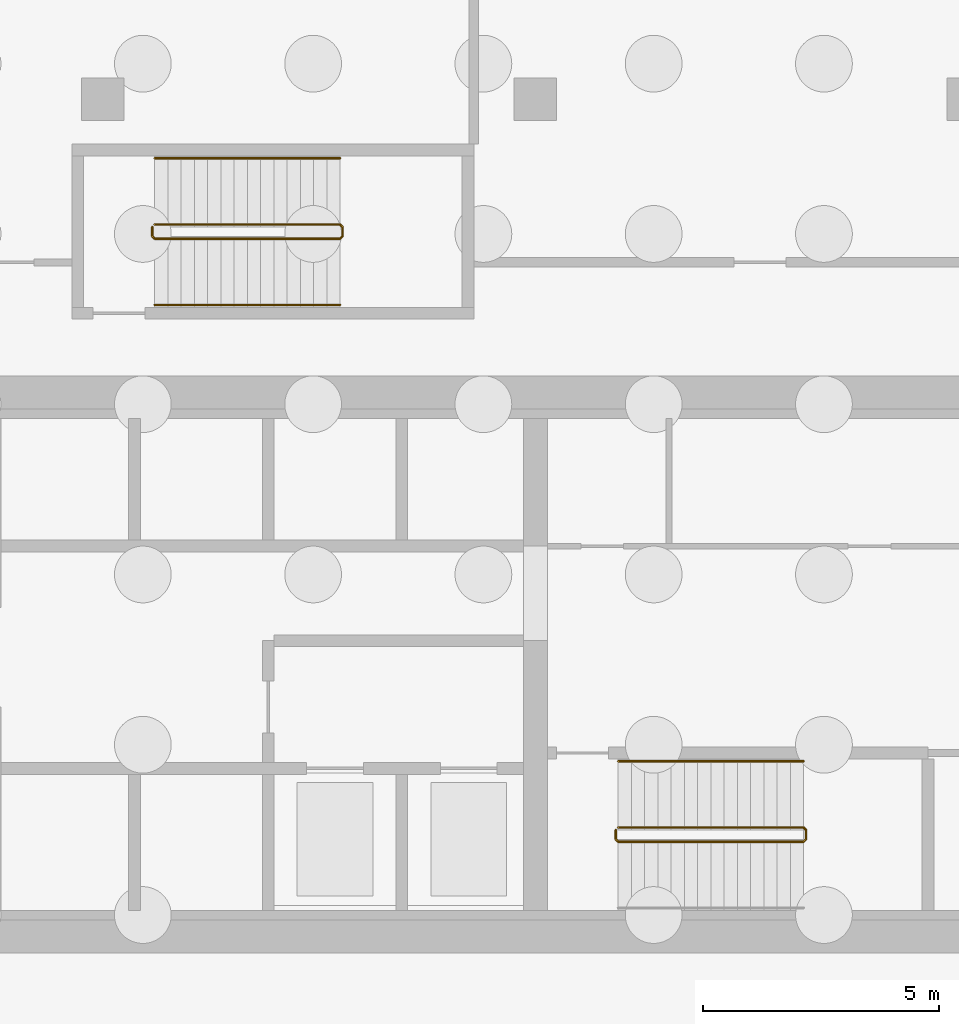
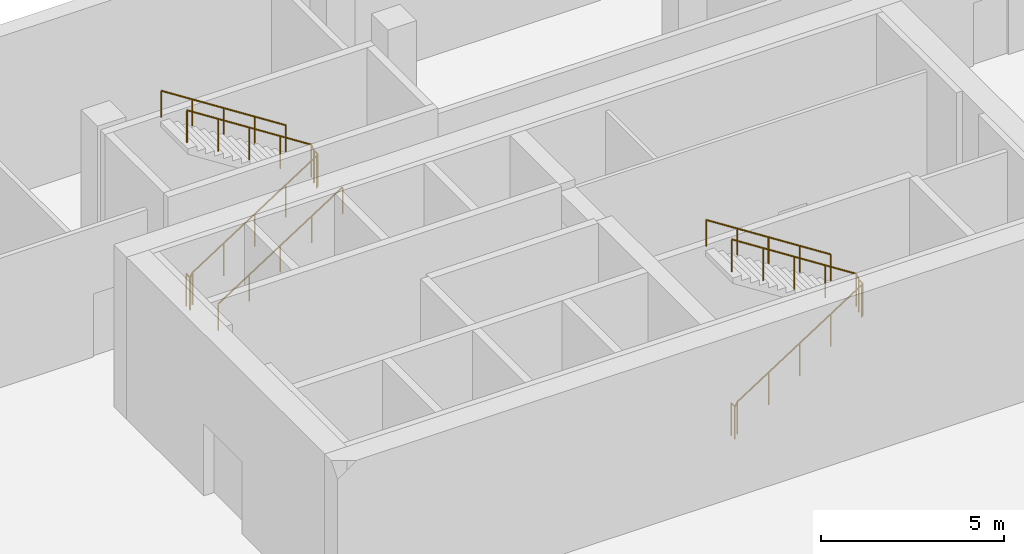
# One storey, part 12 of 13: 5 railings.
"""IFC4 building model written with IfcOpenShell, lengths in metres."""

from ifc_helpers import new_model, si_unit, direction, frame, origin, origin_2d, place, context, subcontext, project, spatial, circle, extrude, material, type_object, element, save


model = new_model("IFC4")

# Units and contexts
model_context = context("Model", 3, precision=1e-05, world=origin(), true_north=direction((0.0, 1.0)))
body_context = subcontext(model_context, "Body", "Model", "MODEL_VIEW")
ifc_project = project(units=[si_unit("LENGTHUNIT", "METRE"), si_unit("AREAUNIT", "SQUARE_METRE"), si_unit("VOLUMEUNIT", "CUBIC_METRE"), si_unit("PLANEANGLEUNIT", "RADIAN"), si_unit("MASSUNIT", "GRAM", prefix="KILO")], contexts=[model_context])

# Site, building, storey
site_placement = place(None, origin())
site = spatial("IfcSite", under=ifc_project, at=site_placement, CompositionType="ELEMENT")
building_placement = place(site_placement, origin())
building = spatial("IfcBuilding", under=site, at=building_placement, Name="Tessera Gate Towers", CompositionType="ELEMENT")
storey_placement = place(building_placement, frame((0.0, 0.0, -5.39990234375)))
storey = spatial("IfcBuildingStorey", under=building, at=storey_placement, Name="B1", CompositionType="ELEMENT", Elevation=-5.39990234375)

# Railings
ifc_material_1 = material(Name="Steel 350W", Category="steel")
railing_type_1 = type_object("IfcRailingType", Name="STAIR GUARD 1100", PredefinedType="GUARDRAIL", material=ifc_material_1)
railing_1_placement = place(storey_placement, frame((111.5, 39.199951171875, 0.0)))
element("IfcRailing", 1, at=railing_1_placement, inside=storey, type_object=railing_type_1, Name="B1 ST6 stair guard 1", PredefinedType="GUARDRAIL", context=body_context, shape_type="SweptSolid", body=[
    extrude(circle(Radius=0.02392578125, at=origin_2d()), frame((0.0, 0.0, 1.076171875), z_axis=(0.0, -1.0, 0.0), x_axis=(1.0, 0.0, 0.0)), (0.0, 0.0, 1.0), 0.199951171875),
    extrude(circle(Radius=0.02392578125, at=origin_2d()), frame((0.0, -0.199951171875, 1.076171875), z_axis=(0.258847668887, -0.258847668887, 0.930588936439), x_axis=(0.707106781187, 0.707106781187, 0.0)), (0.0, 0.0, 1.0), 0.193359375),
    extrude(circle(Radius=0.02392578125, at=origin_2d()), frame((0.050048828125, -0.25, 1.255859375), z_axis=(0.841171666519, 0.0, 0.540768182723), x_axis=(0.0, 1.0, 0.0)), (0.0, 0.0, 1.0), 4.66015625),
    extrude(circle(Radius=0.02392578125, at=origin_2d()), frame((3.969970703125, -0.25, 3.77587890625), z_axis=(0.707106781187, 0.707106781187, 0.0), x_axis=(-0.707106781187, 0.707106781187, 0.0)), (0.0, 0.0, 1.0), 0.07080078125),
    extrude(circle(Radius=0.02392578125, at=origin_2d()), frame((4.02001953125, -0.199951171875, 3.77587890625), z_axis=(0.0, 1.0, 0.0), x_axis=(-1.0, 0.0, 0.0)), (0.0, 0.0, 1.0), 0.199951171875),
    extrude(circle(Radius=0.02392578125, at=origin_2d()), frame((4.02001953125, 0.0, 3.77587890625), z_axis=(-0.258847668887, 0.258847668887, 0.930588936439), x_axis=(-0.707106781187, -0.707106781187, 0.0)), (0.0, 0.0, 1.0), 0.193359375),
    extrude(circle(Radius=0.02392578125, at=origin_2d()), frame((3.969970703125, 0.050048828125, 3.9560546875), z_axis=(-0.841171666519, 0.0, 0.540768182723), x_axis=(0.0, -1.0, 0.0)), (0.0, 0.0, 1.0), 4.66015625),
    extrude(circle(Radius=0.02099609375, at=origin_2d()), origin(), (0.0, 0.0, 1.0), 1.052001953125),
    extrude(circle(Radius=0.02099609375, at=origin_2d()), frame((0.0, -0.199951171875, 0.0)), (0.0, 0.0, 1.0), 1.052001953125),
    extrude(circle(Radius=0.02099609375, at=origin_2d()), frame((0.050048828125, -0.25, 0.179931640625)), (0.0, 0.0, 1.0), 1.052001953125),
    extrude(circle(Radius=0.02099609375, at=origin_2d()), frame((1.030029296875, -0.25, 0.81005859375)), (0.0, 0.0, 1.0), 1.052001953125),
    extrude(circle(Radius=0.02099609375, at=origin_2d()), frame((2.010009765625, -0.25, 1.43994140625)), (0.0, 0.0, 1.0), 1.052001953125),
    extrude(circle(Radius=0.02099609375, at=origin_2d()), frame((2.989990234375, -0.25, 2.06982421875)), (0.0, 0.0, 1.0), 1.052001953125),
    extrude(circle(Radius=0.02099609375, at=origin_2d()), frame((3.969970703125, -0.25, 2.699951171875)), (0.0, 0.0, 1.0), 1.052001953125),
    extrude(circle(Radius=0.02099609375, at=origin_2d()), frame((4.02001953125, -0.199951171875, 2.699951171875)), (0.0, 0.0, 1.0), 1.052001953125),
    extrude(circle(Radius=0.02099609375, at=origin_2d()), frame((4.02001953125, 0.0, 2.699951171875)), (0.0, 0.0, 1.0), 1.052001953125),
    extrude(circle(Radius=0.02099609375, at=origin_2d()), frame((3.969970703125, 0.050048828125, 2.8798828125)), (0.0, 0.0, 1.0), 1.052001953125),
    extrude(circle(Radius=0.02099609375, at=origin_2d()), frame((2.989990234375, 0.050048828125, 3.509765625)), (0.0, 0.0, 1.0), 1.052001953125),
    extrude(circle(Radius=0.02099609375, at=origin_2d()), frame((2.010009765625, 0.050048828125, 4.139892578125)), (0.0, 0.0, 1.0), 1.052001953125),
    extrude(circle(Radius=0.02099609375, at=origin_2d()), frame((1.030029296875, 0.050048828125, 4.77001953125)), (0.0, 0.0, 1.0), 1.052001953125),
    extrude(circle(Radius=0.02099609375, at=origin_2d()), frame((0.050048828125, 0.050048828125, 5.39990234375)), (0.0, 0.0, 1.0), 1.052001953125),
])
railing_2_placement = place(storey_placement, frame((101.699951171875, 51.949951171875, 0.0)))
element("IfcRailing", 2, at=railing_2_placement, inside=storey, type_object=railing_type_1, Name="B1 ST7 stair guard 1", PredefinedType="GUARDRAIL", context=body_context, shape_type="SweptSolid", body=[
    extrude(circle(Radius=0.02392578125, at=origin_2d()), frame((0.0, 0.0, 1.076171875), z_axis=(0.0, -1.0, 0.0), x_axis=(1.0, 0.0, 0.0)), (0.0, 0.0, 1.0), 0.199951171875),
    extrude(circle(Radius=0.02392578125, at=origin_2d()), frame((0.0, -0.199951171875, 1.076171875), z_axis=(0.258847668887, -0.258847668887, 0.930588936439), x_axis=(0.707106781187, 0.707106781187, 0.0)), (0.0, 0.0, 1.0), 0.193359375),
    extrude(circle(Radius=0.02392578125, at=origin_2d()), frame((0.050048828125, -0.25, 1.255859375), z_axis=(0.841171666519, 0.0, 0.540768182723), x_axis=(0.0, 1.0, 0.0)), (0.0, 0.0, 1.0), 4.66015625),
    extrude(circle(Radius=0.02392578125, at=origin_2d()), frame((3.969970703125, -0.25, 3.77587890625), z_axis=(0.707106781187, 0.707106781187, 0.0), x_axis=(-0.707106781187, 0.707106781187, 0.0)), (0.0, 0.0, 1.0), 0.07080078125),
    extrude(circle(Radius=0.02392578125, at=origin_2d()), frame((4.02001953125, -0.199951171875, 3.77587890625), z_axis=(0.0, 1.0, 0.0), x_axis=(-1.0, 0.0, 0.0)), (0.0, 0.0, 1.0), 0.199951171875),
    extrude(circle(Radius=0.02392578125, at=origin_2d()), frame((4.02001953125, 0.0, 3.77587890625), z_axis=(-0.258847668887, 0.258847668887, 0.930588936439), x_axis=(-0.707106781187, -0.707106781187, 0.0)), (0.0, 0.0, 1.0), 0.193359375),
    extrude(circle(Radius=0.02392578125, at=origin_2d()), frame((3.969970703125, 0.050048828125, 3.9560546875), z_axis=(-0.841171666519, 0.0, 0.540768182723), x_axis=(0.0, -1.0, 0.0)), (0.0, 0.0, 1.0), 4.66015625),
    extrude(circle(Radius=0.02099609375, at=origin_2d()), origin(), (0.0, 0.0, 1.0), 1.052001953125),
    extrude(circle(Radius=0.02099609375, at=origin_2d()), frame((0.0, -0.199951171875, 0.0)), (0.0, 0.0, 1.0), 1.052001953125),
    extrude(circle(Radius=0.02099609375, at=origin_2d()), frame((0.050048828125, -0.25, 0.179931640625)), (0.0, 0.0, 1.0), 1.052001953125),
    extrude(circle(Radius=0.02099609375, at=origin_2d()), frame((1.030029296875, -0.25, 0.81005859375)), (0.0, 0.0, 1.0), 1.052001953125),
    extrude(circle(Radius=0.02099609375, at=origin_2d()), frame((2.010009765625, -0.25, 1.43994140625)), (0.0, 0.0, 1.0), 1.052001953125),
    extrude(circle(Radius=0.02099609375, at=origin_2d()), frame((2.989990234375, -0.25, 2.06982421875)), (0.0, 0.0, 1.0), 1.052001953125),
    extrude(circle(Radius=0.02099609375, at=origin_2d()), frame((3.969970703125, -0.25, 2.699951171875)), (0.0, 0.0, 1.0), 1.052001953125),
    extrude(circle(Radius=0.02099609375, at=origin_2d()), frame((4.02001953125, -0.199951171875, 2.699951171875)), (0.0, 0.0, 1.0), 1.052001953125),
    extrude(circle(Radius=0.02099609375, at=origin_2d()), frame((4.02001953125, 0.0, 2.699951171875)), (0.0, 0.0, 1.0), 1.052001953125),
    extrude(circle(Radius=0.02099609375, at=origin_2d()), frame((3.969970703125, 0.050048828125, 2.8798828125)), (0.0, 0.0, 1.0), 1.052001953125),
    extrude(circle(Radius=0.02099609375, at=origin_2d()), frame((2.989990234375, 0.050048828125, 3.509765625)), (0.0, 0.0, 1.0), 1.052001953125),
    extrude(circle(Radius=0.02099609375, at=origin_2d()), frame((2.010009765625, 0.050048828125, 4.139892578125)), (0.0, 0.0, 1.0), 1.052001953125),
    extrude(circle(Radius=0.02099609375, at=origin_2d()), frame((1.030029296875, 0.050048828125, 4.77001953125)), (0.0, 0.0, 1.0), 1.052001953125),
    extrude(circle(Radius=0.02099609375, at=origin_2d()), frame((0.050048828125, 0.050048828125, 5.39990234375)), (0.0, 0.0, 1.0), 1.052001953125),
])
ifc_material_2 = material(Name="Steel 350W", Category="steel")
railing_type_2 = type_object("IfcRailingType", Name="STAIR HANDRAIL 900", PredefinedType="HANDRAIL", material=ifc_material_2)
railing_3_placement = place(storey_placement, frame((115.469970703125, 40.64990234375, 2.8798828125)))
element("IfcRailing", 3, at=railing_3_placement, inside=storey, type_object=railing_type_2, Name="B1 ST6 stair handrail 2", PredefinedType="HANDRAIL", context=body_context, shape_type="SweptSolid", body=[
    extrude(circle(Radius=0.02392578125, at=origin_2d()), frame((0.0, 0.0, 0.8759765625), z_axis=(-0.841171666519, 0.0, 0.540768182723), x_axis=(0.0, -1.0, 0.0)), (0.0, 0.0, 1.0), 4.66015625),
    extrude(circle(Radius=0.02099609375, at=origin_2d()), origin(), (0.0, 0.0, 1.0), 0.851806640625),
    extrude(circle(Radius=0.02099609375, at=origin_2d()), frame((-0.97998046875, 0.0, 0.6298828125)), (0.0, 0.0, 1.0), 0.851806640625),
    extrude(circle(Radius=0.02099609375, at=origin_2d()), frame((-1.9599609375, 0.0, 1.260009765625)), (0.0, 0.0, 1.0), 0.851806640625),
    extrude(circle(Radius=0.02099609375, at=origin_2d()), frame((-2.93994140625, 0.0, 1.89013671875)), (0.0, 0.0, 1.0), 0.851806640625),
    extrude(circle(Radius=0.02099609375, at=origin_2d()), frame((-3.919921875, 0.0, 2.52001953125)), (0.0, 0.0, 1.0), 0.851806640625),
])
railing_4_placement = place(storey_placement, frame((101.75, 50.300048828125, 0.179931640625)))
element("IfcRailing", 4, at=railing_4_placement, inside=storey, type_object=railing_type_2, Name="B1 ST7 stair handrail 1", PredefinedType="HANDRAIL", context=body_context, shape_type="SweptSolid", body=[
    extrude(circle(Radius=0.02392578125, at=origin_2d()), frame((0.0, 0.0, 0.8759765625), z_axis=(0.841171666519, 0.0, 0.540768182723), x_axis=(0.0, 1.0, 0.0)), (0.0, 0.0, 1.0), 4.66015625),
    extrude(circle(Radius=0.02099609375, at=origin_2d()), origin(), (0.0, 0.0, 1.0), 0.851806640625),
    extrude(circle(Radius=0.02099609375, at=origin_2d()), frame((0.97998046875, 0.0, 0.6298828125)), (0.0, 0.0, 1.0), 0.851806640625),
    extrude(circle(Radius=0.02099609375, at=origin_2d()), frame((1.9599609375, 0.0, 1.260009765625)), (0.0, 0.0, 1.0), 0.851806640625),
    extrude(circle(Radius=0.02099609375, at=origin_2d()), frame((2.93994140625, 0.0, 1.89013671875)), (0.0, 0.0, 1.0), 0.851806640625),
    extrude(circle(Radius=0.02099609375, at=origin_2d()), frame((3.919921875, 0.0, 2.52001953125)), (0.0, 0.0, 1.0), 0.851806640625),
])
railing_5_placement = place(storey_placement, frame((105.669921875, 53.39990234375, 2.8798828125)))
element("IfcRailing", 5, at=railing_5_placement, inside=storey, type_object=railing_type_2, Name="B1 ST7 stair handrail 2", PredefinedType="HANDRAIL", context=body_context, shape_type="SweptSolid", body=[
    extrude(circle(Radius=0.02392578125, at=origin_2d()), frame((0.0, 0.0, 0.8759765625), z_axis=(-0.841171666519, 0.0, 0.540768182723), x_axis=(0.0, -1.0, 0.0)), (0.0, 0.0, 1.0), 4.66015625),
    extrude(circle(Radius=0.02099609375, at=origin_2d()), origin(), (0.0, 0.0, 1.0), 0.851806640625),
    extrude(circle(Radius=0.02099609375, at=origin_2d()), frame((-0.97998046875, 0.0, 0.6298828125)), (0.0, 0.0, 1.0), 0.851806640625),
    extrude(circle(Radius=0.02099609375, at=origin_2d()), frame((-1.9599609375, 0.0, 1.260009765625)), (0.0, 0.0, 1.0), 0.851806640625),
    extrude(circle(Radius=0.02099609375, at=origin_2d()), frame((-2.93994140625, 0.0, 1.89013671875)), (0.0, 0.0, 1.0), 0.851806640625),
    extrude(circle(Radius=0.02099609375, at=origin_2d()), frame((-3.919921875, 0.0, 2.52001953125)), (0.0, 0.0, 1.0), 0.851806640625),
])

save(model, "model.ifc")
